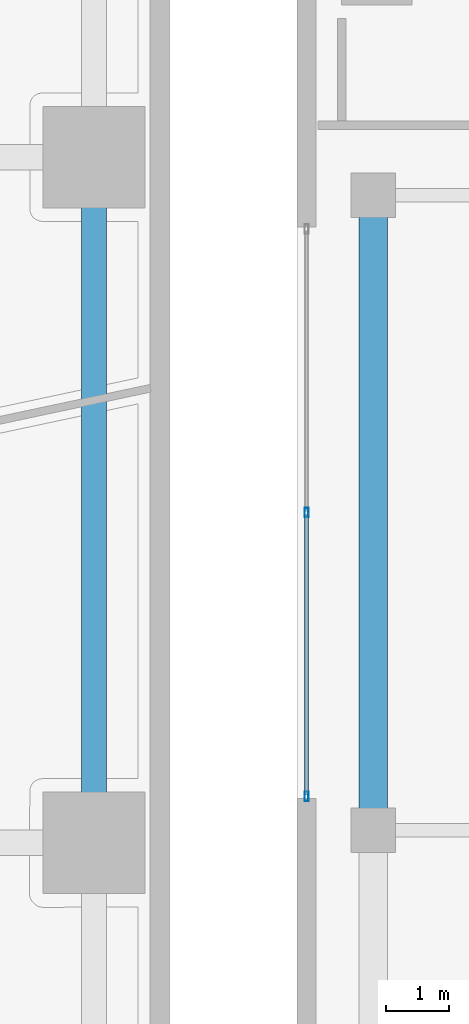
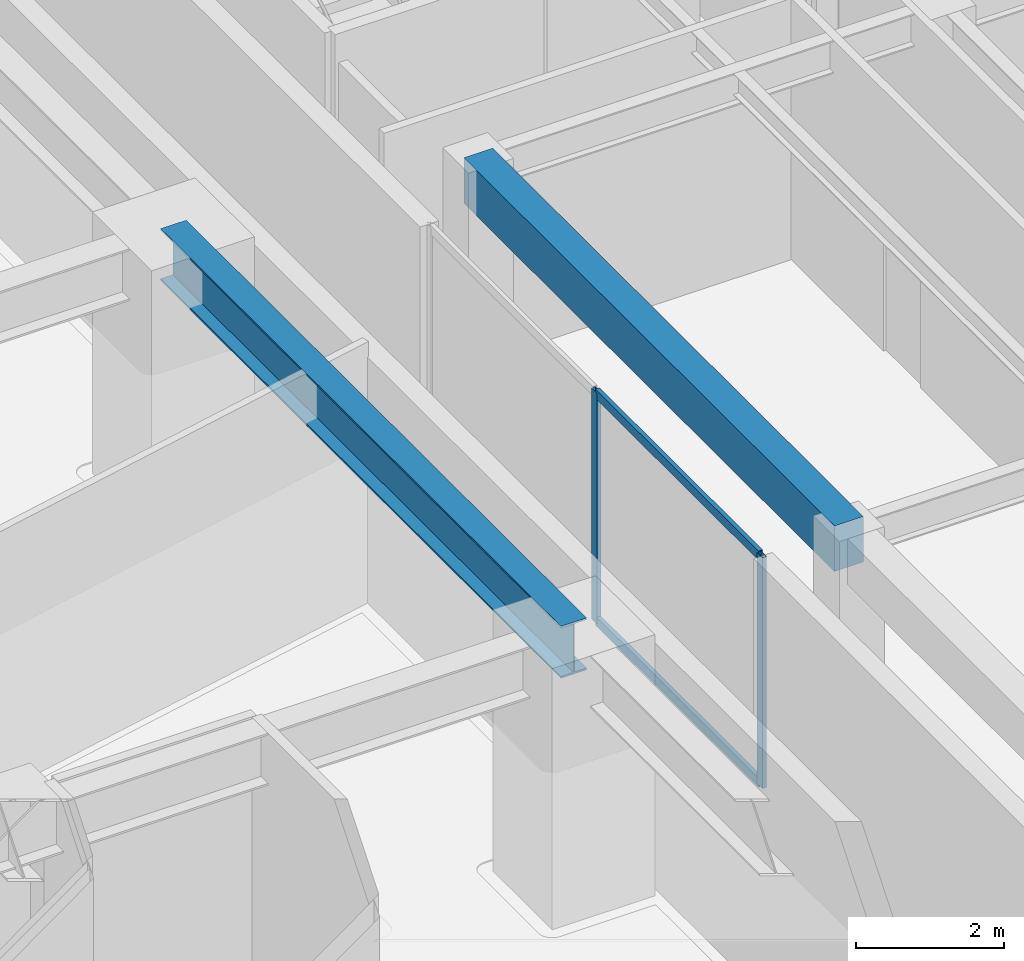
# One storey, part 7 of 24: 4 members, 2 beams, 1 element without a shape of its own.
"""IFC4 building model written with IfcOpenShell, lengths in metres."""

from ifc_helpers import new_model, si_unit, direction, frame, origin, origin_2d, place, context, subcontext, project, spatial, rectangle, hollow_rectangle, i_section, extrude, source, transform, mapped, material, layer, layer_set, material_profile, profile_set, type_object, type_shapes, element, aggregate, save


model = new_model("IFC4")

# Units and contexts
model_context = context("Model", 3, precision=1e-05, world=origin(), true_north=direction((0.0, 1.0)))
body_context = subcontext(model_context, "Body", "Model", "MODEL_VIEW")
ifc_project = project(units=[si_unit("LENGTHUNIT", "METRE"), si_unit("AREAUNIT", "SQUARE_METRE"), si_unit("VOLUMEUNIT", "CUBIC_METRE"), si_unit("PLANEANGLEUNIT", "RADIAN"), si_unit("MASSUNIT", "GRAM", prefix="KILO")], contexts=[model_context])

# Site, building, storey
site_placement = place(None, origin())
site = spatial("IfcSite", under=ifc_project, at=site_placement, CompositionType="ELEMENT")
building_placement = place(site_placement, origin())
building = spatial("IfcBuilding", under=site, at=building_placement, Name="Talar Marvaseh", CompositionType="ELEMENT")
storey_placement = place(building_placement, frame((0.0, 0.0, 9.800048828125)))
storey = spatial("IfcBuildingStorey", under=building, at=storey_placement, Name="L02", CompositionType="ELEMENT", Elevation=9.800048828125)

# Beams
ifc_material_1 = material(Name="Steel S355", Category="steel")
ifc_material_profile_1 = material_profile(ifc_material_1, i_section(OverallWidth=0.39990234375, OverallDepth=0.85498046875, WebThickness=0.018310546875, FlangeThickness=0.029296875, at=origin_2d()), Name="W840x299")
ifc_profile_set_1 = profile_set([ifc_material_profile_1], Name="Steel S355")
beam_type_1 = type_object("IfcBeamType", Name="Concourse Primary Girder W840x299", PredefinedType="BEAM", material=ifc_profile_set_1)
beam_1_placement = place(storey_placement, frame((50.800048828125, 25.800048828125, 3.87255859375), z_axis=(0.0, 1.0, 0.0), x_axis=(-1.0, 0.0, 0.0)))
element("IfcBeam", 1, at=beam_1_placement, inside=storey, type_object=beam_type_1, Name="L02 Concourse Primary Girder W840x299", PredefinedType="BEAM", context=body_context, shape_type="SweptSolid", body=[
    extrude(i_section(OverallWidth=0.39990234375, OverallDepth=0.85498046875, WebThickness=0.018310546875, FlangeThickness=0.029296875, at=origin_2d()), origin(), (0.0, 0.0, 1.0), 10.800048828125),
])
ifc_material_2 = material(Name="Concrete C40/50", Category="concrete")
ifc_material_profile_2 = material_profile(ifc_material_2, rectangle(XDim=0.449951171875, YDim=0.75, at=origin_2d()), Name="RC450x750")
ifc_profile_set_2 = profile_set([ifc_material_profile_2], Name="Concrete C40/50")
beam_type_2 = type_object("IfcBeamType", Name="Market Concrete Edge Beam RC450x750", PredefinedType="SPANDREL", material=ifc_profile_set_2)
beam_2_placement = place(storey_placement, frame((55.199951171875, 26.0, 3.925048828125), z_axis=(0.0, 1.0, 0.0), x_axis=(-1.0, 0.0, 0.0)))
element("IfcBeam", 2, at=beam_2_placement, inside=storey, type_object=beam_type_2, Name="L02 Market Concrete Edge Beam RC450x750", PredefinedType="SPANDREL", context=body_context, shape_type="SweptSolid", body=[
    extrude(rectangle(XDim=0.449951171875, YDim=0.75, at=origin_2d()), origin(), (0.0, 0.0, 1.0), 10.0),
])

# Curtain wall, members
ifc_material_3 = material(Name="Architectural Aluminium", Category="aluminium")
ifc_layer = layer(ifc_material_3, 0.169921875)
ifc_layer_set = layer_set([ifc_layer], Name="Architectural Aluminium")
curtain_wall_type = type_object("IfcCurtainWallType", Name="Market Hall Clerestory and Courtyard Curtain Wall", PredefinedType="NOTDEFINED", material=ifc_layer_set)
curtain_wall_placement = place(storey_placement, origin())
curtain_wall = element("IfcCurtainWall", 3, at=curtain_wall_placement, inside=storey, type_object=curtain_wall_type, Name="L02 Market Hall Clerestory and Courtyard Curtain Wall", PredefinedType="NOTDEFINED")
ifc_material_profile_3 = material_profile(ifc_material_3, hollow_rectangle(XDim=0.06494140625, YDim=0.14990234375, WallThickness=0.00390625, at=origin_2d()), Name="RHS150x65x4")
ifc_profile_set_3 = profile_set([ifc_material_profile_3], Name="Architectural Aluminium")
member_type_1 = type_object("IfcMemberType", Name="Unitised Curtain Wall Slim Transom RHS150x65x4", PredefinedType="USERDEFINED", material=ifc_profile_set_3)
shared_shape_1 = source(origin(), body_context, "Body", "SweptSolid", [
    extrude(hollow_rectangle(XDim=0.06494140625, YDim=0.14990234375, WallThickness=0.00390625, at=origin_2d()), origin(), (0.0, 0.0, 1.0), 4.402587890625),
])
type_shapes(member_type_1, [shared_shape_1])
member_1_placement = place(storey_placement, frame((54.14990234375, 26.56494140625, 0.032470703125), z_axis=(0.0, 1.0, 0.0), x_axis=(-1.0, 0.0, 0.0)))
member_1 = element("IfcMember", 4, at=member_1_placement, type_object=member_type_1, Name="CW-MKT transom 1.1", ObjectType="TRANSOM", PredefinedType="USERDEFINED", context=body_context, shape_type="MappedRepresentation", body=[
    mapped(shared_shape_1, transform((0.0, 0.0, 0.0), x_axis=(1.0, 0.0, 0.0), y_axis=(0.0, 1.0, 0.0), z_axis=(0.0, 0.0, 1.0), scale=1.0)),
])
member_2_placement = place(storey_placement, frame((54.14990234375, 26.56494140625, 3.767333984375), z_axis=(0.0, 1.0, 0.0), x_axis=(-1.0, 0.0, 0.0)))
member_2 = element("IfcMember", 5, at=member_2_placement, type_object=member_type_1, Name="CW-MKT transom 1.2", ObjectType="TRANSOM", PredefinedType="USERDEFINED", context=body_context, shape_type="MappedRepresentation", body=[
    mapped(shared_shape_1, transform((0.0, 0.0, 0.0), x_axis=(1.0, 0.0, 0.0), y_axis=(0.0, 1.0, 0.0), z_axis=(0.0, 0.0, 1.0), scale=1.0)),
])
ifc_material_profile_4 = material_profile(ifc_material_3, hollow_rectangle(XDim=0.06494140625, YDim=0.14990234375, WallThickness=0.00390625, at=origin_2d()), Name="RHS150x65x4")
ifc_profile_set_4 = profile_set([ifc_material_profile_4], Name="Architectural Aluminium")
member_type_2 = type_object("IfcMemberType", Name="Unitised Curtain Wall Slim Mullion RHS150x65x4", PredefinedType="MULLION", material=ifc_profile_set_4)
shared_shape_2 = source(origin(), body_context, "Body", "SweptSolid", [
    extrude(hollow_rectangle(XDim=0.06494140625, YDim=0.14990234375, WallThickness=0.00390625, at=origin_2d()), origin(), (0.0, 0.0, 1.0), 3.800048828125),
])
type_shapes(member_type_2, [shared_shape_2])
member_3_placement = place(storey_placement, frame((54.14990234375, 26.532470703125, 0.0), z_axis=(0.0, 0.0, 1.0), x_axis=(-1.0, 0.0, 0.0)))
member_3 = element("IfcMember", 6, at=member_3_placement, type_object=member_type_2, Name="CW-MKT mullion 1", PredefinedType="MULLION", context=body_context, shape_type="MappedRepresentation", body=[
    mapped(shared_shape_2, transform((0.0, 0.0, 0.0), x_axis=(1.0, 0.0, 0.0), y_axis=(0.0, 1.0, 0.0), z_axis=(0.0, 0.0, 1.0), scale=1.0)),
])
member_4_placement = place(storey_placement, frame((54.14990234375, 31.0, 0.0), z_axis=(0.0, 0.0, 1.0), x_axis=(-1.0, 0.0, 0.0)))
member_4 = element("IfcMember", 7, at=member_4_placement, type_object=member_type_2, Name="CW-MKT mullion 2", PredefinedType="MULLION", context=body_context, shape_type="MappedRepresentation", body=[
    mapped(shared_shape_2, transform((0.0, 0.0, 0.0), x_axis=(1.0, 0.0, 0.0), y_axis=(0.0, 1.0, 0.0), z_axis=(0.0, 0.0, 1.0), scale=1.0)),
])
aggregate(curtain_wall, [member_3, member_4, member_1, member_2])

save(model, "model.ifc")
